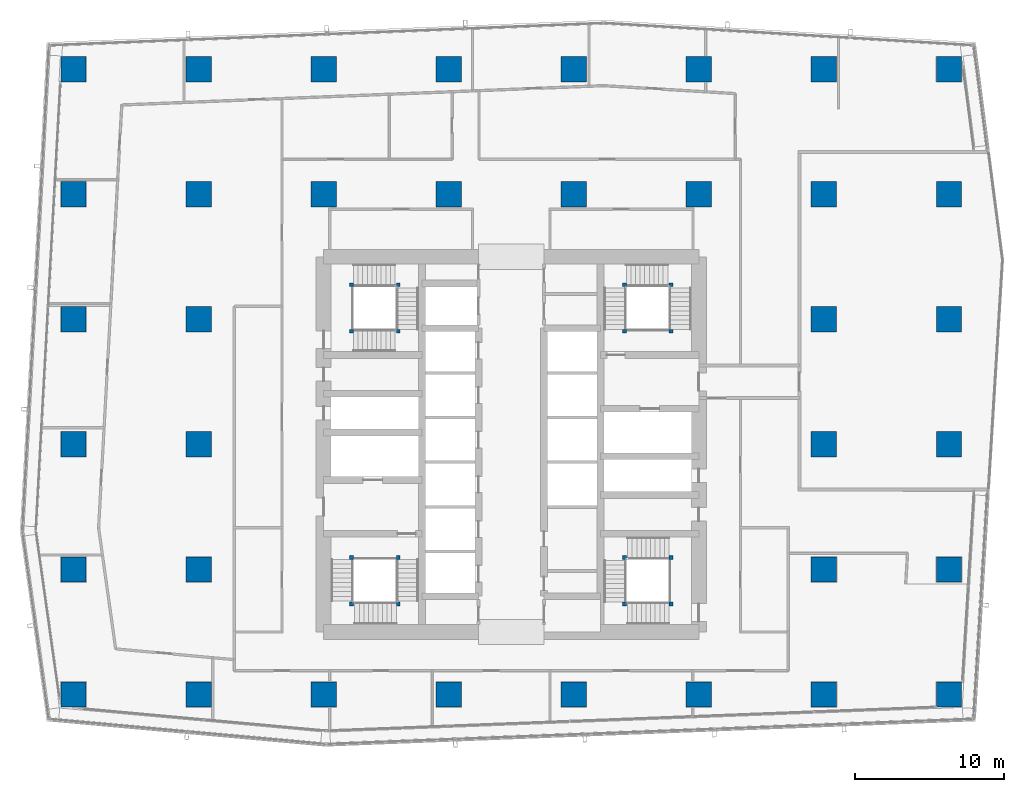
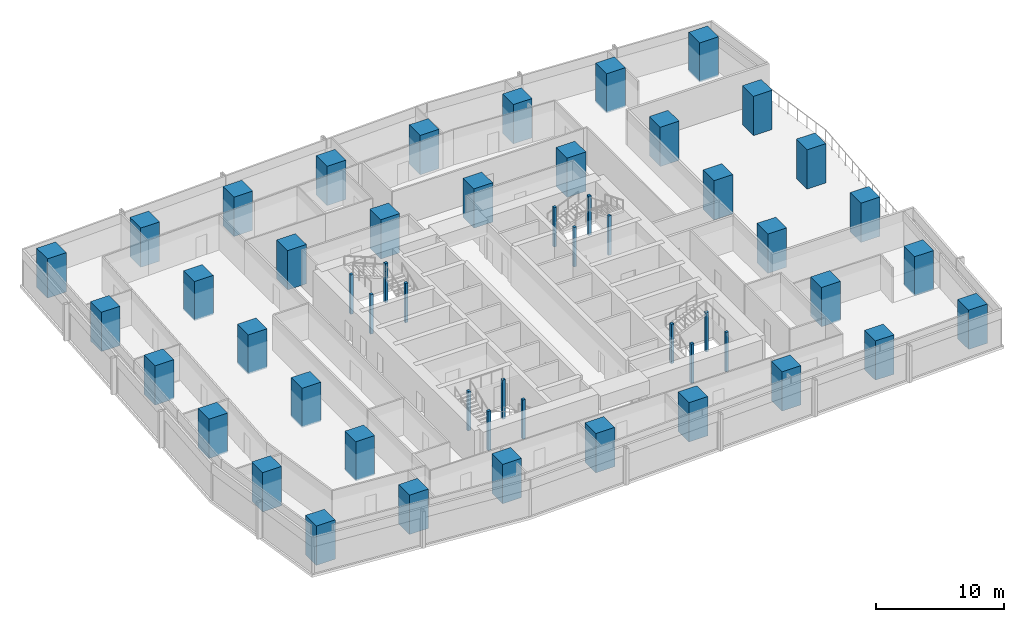
# One storey, part 1 of 40: 52 columns.
"""IFC4 building model written with IfcOpenShell, lengths in metres."""

from ifc_helpers import new_model, si_unit, direction, frame, origin, origin_2d, place, context, subcontext, project, spatial, rectangle, extrude, material, material_profile, profile_set, type_object, element, save


model = new_model("IFC4")

# Units and contexts
model_context = context("Model", 3, precision=1e-05, world=origin(), true_north=direction((0.0, 1.0)))
body_context = subcontext(model_context, "Body", "Model", "MODEL_VIEW")
ifc_project = project(units=[si_unit("LENGTHUNIT", "METRE"), si_unit("AREAUNIT", "SQUARE_METRE"), si_unit("VOLUMEUNIT", "CUBIC_METRE"), si_unit("PLANEANGLEUNIT", "RADIAN"), si_unit("MASSUNIT", "GRAM", prefix="KILO")], contexts=[model_context])

# Site, building, storey
site_placement = place(None, origin())
site = spatial("IfcSite", under=ifc_project, at=site_placement, CompositionType="ELEMENT")
building_placement = place(site_placement, origin())
building = spatial("IfcBuilding", under=site, at=building_placement, Name="Rekha Terrace Tower", CompositionType="ELEMENT")
storey_placement = place(building_placement, frame((0.0, 0.0, 129.050048828125)))
storey = spatial("IfcBuildingStorey", under=building, at=storey_placement, Name="L32", CompositionType="ELEMENT", Elevation=129.050048828125)

# Columns
ifc_material_1 = material(Name="Concrete M70", Category="concrete")
ifc_material_profile_1 = material_profile(ifc_material_1, rectangle(XDim=1.699951171875, YDim=1.699951171875, at=origin_2d()), Name="RC 1700x1700")
ifc_profile_set_1 = profile_set([ifc_material_profile_1], Name="Concrete M70")
column_type_1 = type_object("IfcColumnType", Name="C3 1700x1700 column", PredefinedType="COLUMN", material=ifc_profile_set_1)
for number, where, z_axis, x_axis, name in (
    (1, (8.39990234375, 16.800048828125, 0.0), (0.0, 0.0, 1.0), (1.0, 0.0, 0.0), "Column C3 2/C L32"),
    (2, (8.39990234375, 25.199951171875, 0.0), (0.0, 0.0, 1.0), (1.0, 0.0, 0.0), "Column C3 2/D L32"),
    (3, (8.39990234375, 33.60009765625, 0.0), (0.0, 0.0, 1.0), (1.0, 0.0, 0.0), "Column C3 2/E L32"),
    (4, (8.39990234375, 42.0, 0.0), (0.0, 0.0, 1.0), (1.0, 0.0, 0.0), "Column C3 2/F L32"),
    (5, (8.39990234375, 50.39990234375, 0.0), (0.0, 0.0, 1.0), (1.0, 0.0, 0.0), "Column C3 2/G L32"),
    (6, (8.39990234375, 58.800048828125, 0.0), (0.0, 0.0, 1.0), (1.0, 0.0, 0.0), "Column C3 2/H L32"),
    (7, (16.800048828125, 16.800048828125, 0.0), (0.0, 0.0, 1.0), (1.0, 0.0, 0.0), "Column C3 3/C L32"),
    (8, (16.800048828125, 25.199951171875, 0.0), (0.0, 0.0, 1.0), (1.0, 0.0, 0.0), "Column C3 3/D L32"),
    (9, (16.800048828125, 33.60009765625, 0.0), (0.0, 0.0, 1.0), (1.0, 0.0, 0.0), "Column C3 3/E L32"),
    (10, (16.800048828125, 42.0, 0.0), (0.0, 0.0, 1.0), (1.0, 0.0, 0.0), "Column C3 3/F L32"),
    (11, (16.800048828125, 50.39990234375, 0.0), (0.0, 0.0, 1.0), (1.0, 0.0, 0.0), "Column C3 3/G L32"),
    (12, (16.800048828125, 58.800048828125, 0.0), (0.0, 0.0, 1.0), (1.0, 0.0, 0.0), "Column C3 3/H L32"),
    (13, (25.199951171875, 16.800048828125, 0.0), (0.0, 0.0, 1.0), (1.0, 0.0, 0.0), "Column C3 4/C L32"),
    (14, (25.199951171875, 50.39990234375, 0.0), (0.0, 0.0, 1.0), (1.0, 0.0, 0.0), "Column C3 4/G L32"),
    (15, (25.199951171875, 58.800048828125, 0.0), (0.0, 0.0, 1.0), (1.0, 0.0, 0.0), "Column C3 4/H L32"),
    (16, (33.60009765625, 16.800048828125, 0.0), (0.0, 0.0, 1.0), (1.0, 0.0, 0.0), "Column C3 5/C L32"),
    (17, (33.60009765625, 50.39990234375, 0.0), (0.0, 0.0, 1.0), (1.0, 0.0, 0.0), "Column C3 5/G L32"),
    (18, (33.60009765625, 58.800048828125, 0.0), (0.0, 0.0, 1.0), (1.0, 0.0, 0.0), "Column C3 5/H L32"),
    (19, (42.0, 16.800048828125, 0.0), (0.0, 0.0, 1.0), (1.0, 0.0, 0.0), "Column C3 6/C L32"),
    (20, (42.0, 50.39990234375, 0.0), (0.0, 0.0, 1.0), (1.0, 0.0, 0.0), "Column C3 6/G L32"),
    (21, (42.0, 58.800048828125, 0.0), (0.0, 0.0, 1.0), (1.0, 0.0, 0.0), "Column C3 6/H L32"),
    (22, (50.39990234375, 16.800048828125, 0.0), (0.0, 0.0, 1.0), (1.0, 0.0, 0.0), "Column C3 7/C L32"),
    (23, (50.39990234375, 50.39990234375, 0.0), (0.0, 0.0, 1.0), (1.0, 0.0, 0.0), "Column C3 7/G L32"),
    (24, (50.39990234375, 58.800048828125, 0.0), (0.0, 0.0, 1.0), (1.0, 0.0, 0.0), "Column C3 7/H L32"),
    (25, (58.800048828125, 16.800048828125, 0.0), (0.0, 0.0, 1.0), (1.0, 0.0, 0.0), "Column C3 8/C L32"),
    (26, (58.800048828125, 25.199951171875, 0.0), (0.0, 0.0, 1.0), (1.0, 0.0, 0.0), "Column C3 8/D L32"),
    (27, (58.800048828125, 33.60009765625, 0.0), (0.0, 0.0, 1.0), (1.0, 0.0, 0.0), "Column C3 8/E L32"),
    (28, (58.800048828125, 42.0, 0.0), (0.0, 0.0, 1.0), (1.0, 0.0, 0.0), "Column C3 8/F L32"),
    (29, (58.800048828125, 50.39990234375, 0.0), (0.0, 0.0, 1.0), (1.0, 0.0, 0.0), "Column C3 8/G L32"),
    (30, (58.800048828125, 58.800048828125, 0.0), (0.0, 0.0, 1.0), (1.0, 0.0, 0.0), "Column C3 8/H L32"),
    (31, (67.199951171875, 16.800048828125, 0.0), (0.0, 0.0, 1.0), (1.0, 0.0, 0.0), "Column C3 9/C L32"),
    (32, (67.199951171875, 25.199951171875, 0.0), (0.0, 0.0, 1.0), (1.0, 0.0, 0.0), "Column C3 9/D L32"),
    (33, (67.199951171875, 33.60009765625, 0.0), (0.0, 0.0, 1.0), (1.0, 0.0, 0.0), "Column C3 9/E L32"),
    (34, (67.199951171875, 42.0, 0.0), (0.0, 0.0, 1.0), (1.0, 0.0, 0.0), "Column C3 9/F L32"),
    (35, (67.199951171875, 50.39990234375, 0.0), (0.0, 0.0, 1.0), (1.0, 0.0, 0.0), "Column C3 9/G L32"),
    (36, (67.199951171875, 58.800048828125, 0.0), (0.0, 0.0, 1.0), (1.0, 0.0, 0.0), "Column C3 9/H L32"),
):
    element("IfcColumn", number, at=place(storey_placement, frame(where, z_axis=z_axis, x_axis=x_axis)), inside=storey, type_object=column_type_1, Name=name, PredefinedType="COLUMN", context=body_context, shape_type="SweptSolid", body=[
        extrude(rectangle(XDim=1.699951171875, YDim=1.699951171875, at=origin_2d()), origin(), (0.0, 0.0, 1.0), 3.75),
    ])
ifc_material_2 = material(Name="Concrete M60", Category="concrete")
ifc_material_profile_2 = material_profile(ifc_material_2, rectangle(XDim=0.25, YDim=0.25, at=origin_2d()), Name="RC 250x250")
ifc_profile_set_2 = profile_set([ifc_material_profile_2], Name="Concrete M60")
column_type_2 = type_object("IfcColumnType", Name="NP1 250x250 stair newel post", PredefinedType="COLUMN", material=ifc_profile_set_2)
for number, where, z_axis, x_axis, name in (
    (37, (30.199951171875, 26.0, 0.0), (0.0, 0.0, 1.0), (1.0, 0.0, 0.0), "Stair newel post NP1"),
    (38, (30.199951171875, 22.875, 0.0), (0.0, 0.0, 1.0), (1.0, 0.0, 0.0), "Stair newel post NP1"),
    (39, (27.074951171875, 22.875, 0.0), (0.0, 0.0, 1.0), (1.0, 0.0, 0.0), "Stair newel post NP1"),
    (40, (27.074951171875, 26.0, 0.0), (0.0, 0.0, 1.0), (1.0, 0.0, 0.0), "Stair newel post NP1"),
    (41, (45.39990234375, 41.199951171875, 0.0), (0.0, 0.0, 1.0), (1.0, 0.0, 0.0), "Stair newel post NP1"),
    (42, (45.39990234375, 44.324951171875, 0.0), (0.0, 0.0, 1.0), (1.0, 0.0, 0.0), "Stair newel post NP1"),
    (43, (48.52490234375, 44.324951171875, 0.0), (0.0, 0.0, 1.0), (1.0, 0.0, 0.0), "Stair newel post NP1"),
    (44, (48.52490234375, 41.199951171875, 0.0), (0.0, 0.0, 1.0), (1.0, 0.0, 0.0), "Stair newel post NP1"),
    (45, (48.52490234375, 22.875, 0.0), (0.0, 0.0, 1.0), (1.0, 0.0, 0.0), "Stair newel post NP1"),
    (46, (45.39990234375, 22.875, 0.0), (0.0, 0.0, 1.0), (1.0, 0.0, 0.0), "Stair newel post NP1"),
    (47, (45.39990234375, 26.0, 0.0), (0.0, 0.0, 1.0), (1.0, 0.0, 0.0), "Stair newel post NP1"),
    (48, (48.52490234375, 26.0, 0.0), (0.0, 0.0, 1.0), (1.0, 0.0, 0.0), "Stair newel post NP1"),
    (49, (27.074951171875, 41.199951171875, 0.0), (0.0, 0.0, 1.0), (1.0, 0.0, 0.0), "Stair newel post NP1"),
    (50, (30.199951171875, 41.199951171875, 0.0), (0.0, 0.0, 1.0), (1.0, 0.0, 0.0), "Stair newel post NP1"),
    (51, (30.199951171875, 44.324951171875, 0.0), (0.0, 0.0, 1.0), (1.0, 0.0, 0.0), "Stair newel post NP1"),
    (52, (27.074951171875, 44.324951171875, 0.0), (0.0, 0.0, 1.0), (1.0, 0.0, 0.0), "Stair newel post NP1"),
):
    element("IfcColumn", number, at=place(storey_placement, frame(where, z_axis=z_axis, x_axis=x_axis)), inside=storey, type_object=column_type_2, Name=name, PredefinedType="COLUMN", context=body_context, shape_type="SweptSolid", body=[
        extrude(rectangle(XDim=0.25, YDim=0.25, at=origin_2d()), origin(), (0.0, 0.0, 1.0), 3.75),
    ])

save(model, "model.ifc")
